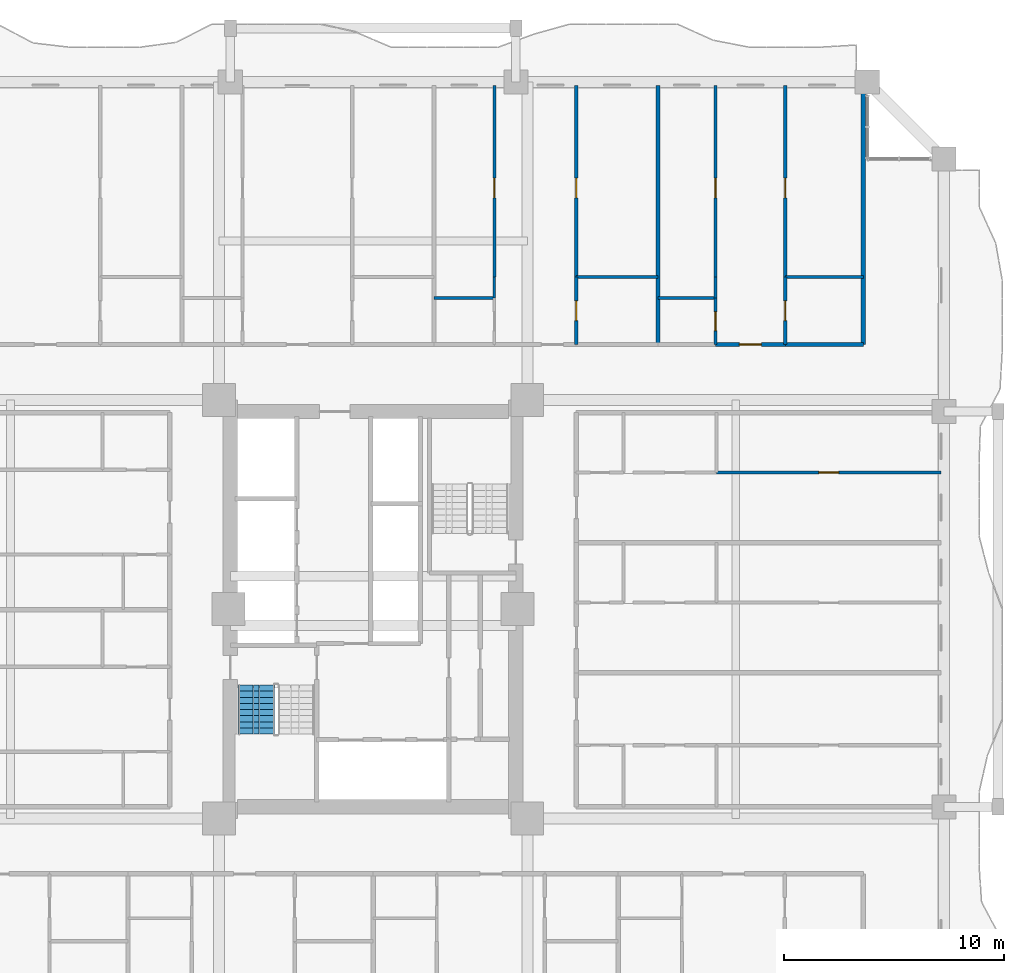
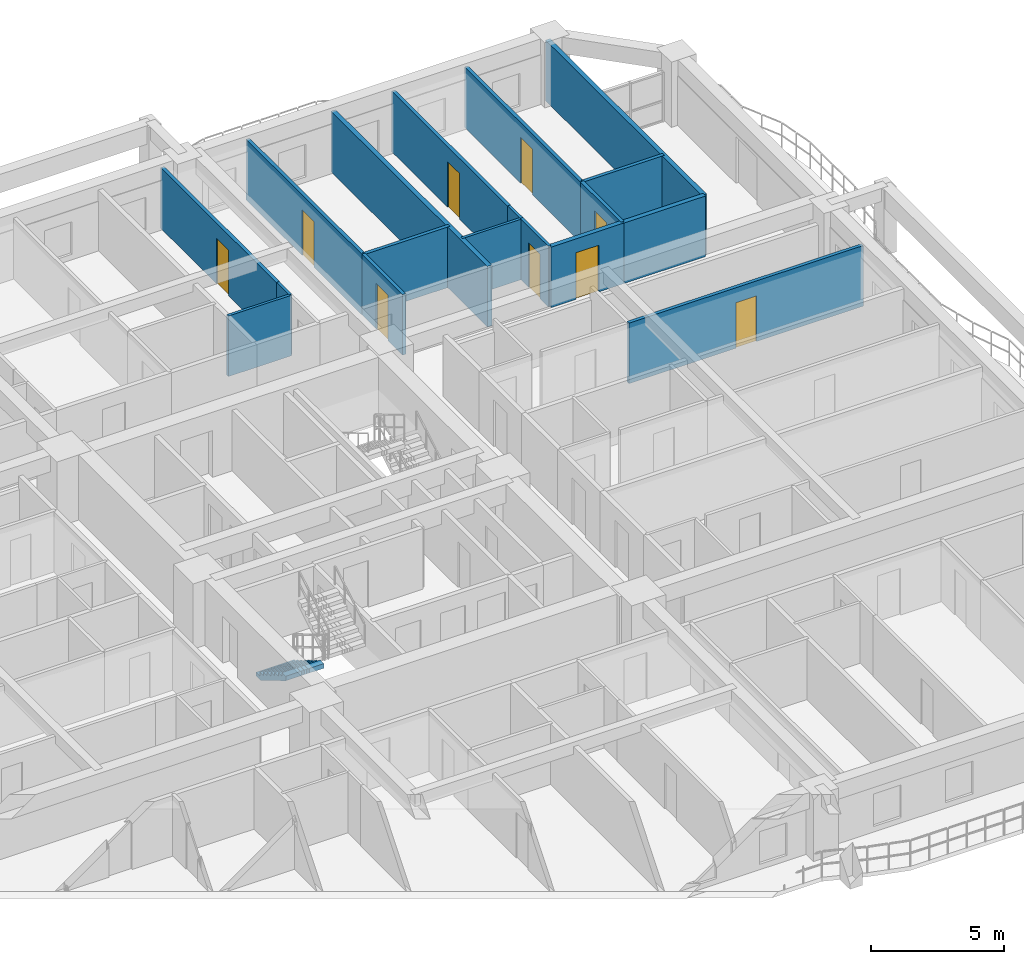
# One storey, part 20 of 27: 18 walls, 9 doors, 1 stair flight, 9 openings, 1 element without a shape of its own.
"""IFC4 building model written with IfcOpenShell, lengths in metres."""

from ifc_helpers import new_model, si_unit, direction, frame, frame_2d, origin, place, context, subcontext, project, spatial, polyline, rectangle, outline, extrude, source, transform, mapped, material, layer, layer_set, type_object, element, fill, aggregate, save


model = new_model("IFC4")

# Units and contexts
model_context = context("Model", 3, precision=1e-05, world=origin(), true_north=direction((0.0, 1.0)))
body_context = subcontext(model_context, "Body", "Model", "MODEL_VIEW")
ifc_project = project(units=[si_unit("LENGTHUNIT", "METRE"), si_unit("AREAUNIT", "SQUARE_METRE"), si_unit("VOLUMEUNIT", "CUBIC_METRE"), si_unit("PLANEANGLEUNIT", "RADIAN"), si_unit("MASSUNIT", "GRAM", prefix="KILO")], contexts=[model_context])

# Site, building, storey
site_placement = place(None, origin())
site = spatial("IfcSite", under=ifc_project, at=site_placement, CompositionType="ELEMENT")
building_placement = place(site_placement, origin())
building = spatial("IfcBuilding", under=site, at=building_placement, Name="Saelheon Loggia Tower", CompositionType="ELEMENT")
storey_placement = place(building_placement, frame((0.0, 0.0, 43.39990234375)))
storey = spatial("IfcBuildingStorey", under=building, at=storey_placement, Name="L13", CompositionType="ELEMENT", Elevation=43.39990234375)

# Wall
ifc_material_1 = material(Name="Lightweight Autoclaved Aerated Concrete Block and Acoustic Gypsum", Category="concrete")
ifc_layer_1 = layer(ifc_material_1, 0.14990234375)
ifc_layer_set_1 = layer_set([ifc_layer_1], Name="Lightweight Autoclaved Aerated Concrete Block and Acoustic Gypsum")
wall_type_1 = type_object("IfcWallType", Name="Wall_Part_150", PredefinedType="PARTITIONING", material=ifc_layer_set_1)
wall_1_placement = place(storey_placement, frame((47.24951171875, 42.1201171875, 0.0), z_axis=(0.0, 0.0, 1.0), x_axis=(1.0, 0.0, 0.0)))
element("IfcWall", 1, at=wall_1_placement, inside=storey, type_object=wall_type_1, Name="L13 N Partition V31", PredefinedType="PARTITIONING", context=body_context, shape_type="SweptSolid", body=[
    extrude(rectangle(XDim=3.72265625, YDim=0.14990234375, at=frame_2d((1.861328125, 0.0))), origin(), (0.0, 0.0, 1.0), 2.7900390625),
])

# Wall, opening, door
wall_2_placement = place(storey_placement, frame((43.524658203125, 42.1201171875, 0.0), z_axis=(0.0, 0.0, 1.0), x_axis=(0.0, 1.0, 0.0)))
wall_2 = element("IfcWall", 2, at=wall_2_placement, inside=storey, type_object=wall_type_1, Name="L13 N Partition U34", PredefinedType="PARTITIONING", context=body_context, shape_type="SweptSolid", body=[
    extrude(rectangle(XDim=8.72998046875, YDim=0.14990234375, at=frame_2d((4.364990234375, 0.0))), origin(), (0.0, 0.0, 1.0), 2.7900390625),
])
opening_1_placement = place(wall_2_placement, frame((3.60888671875, 0.0, 0.0)))
opening_1 = element("IfcOpeningElement", 3, at=opening_1_placement, cuts=wall_2, Name="Opening D-IN2", PredefinedType="OPENING", context=body_context, shape_type="SweptSolid", body=[
    extrude(rectangle(XDim=0.89990234375, YDim=2.10009765625, at=frame_2d((0.449951171875, 1.050048828125))), frame((0.0, 0.0869140625, 0.0), z_axis=(0.0, -1.0, 0.0), x_axis=(1.0, 0.0, 0.0)), (0.0, 0.0, 1.0), 0.173828125),
])
ifc_material_2 = material(Name="Engineered Oak Flush Door", Category="timber")
door_type_1 = type_object("IfcDoorType", Name="Door_Int_900", OperationType="NOTDEFINED", PredefinedType="DOOR", material=ifc_material_2)
shared_shape_1 = source(origin(), body_context, "Body", "SweptSolid", [
    extrude(rectangle(XDim=0.89990234375, YDim=2.10009765625, at=frame_2d((0.449951171875, 1.050048828125))), frame((0.0, 0.02490234375, 0.0), z_axis=(0.0, -1.0, 0.0), x_axis=(1.0, 0.0, 0.0)), (0.0, 0.0, 1.0), 0.050048828125),
])
door_1_placement = place(opening_1_placement, origin())
door_1 = element("IfcDoor", 4, at=door_1_placement, inside=storey, type_object=door_type_1, Name="Unit U07 Kitchen Door", OperationType="SINGLE_SWING_RIGHT", OverallHeight=2.10009765625, OverallWidth=0.89990234375, PredefinedType="DOOR", context=body_context, shape_type="MappedRepresentation", body=[
    mapped(shared_shape_1, transform((0.0, 0.0, 0.0), scale=1.0)),
])
fill(opening_1, door_1)

wall_3_placement = place(storey_placement, frame((47.24951171875, 39.050048828125, 0.0), z_axis=(0.0, 0.0, 1.0), x_axis=(0.0, 1.0, 0.0)))
wall_3 = element("IfcWall", 5, at=wall_3_placement, inside=storey, type_object=wall_type_1, Name="L13 N Partition U35", PredefinedType="PARTITIONING", context=body_context, shape_type="SweptSolid", body=[
    extrude(rectangle(XDim=3.070068359375, YDim=0.14990234375, at=frame_2d((1.53515625, 0.0))), origin(), (0.0, 0.0, 1.0), 2.7900390625),
])
opening_2_placement = place(wall_3_placement, frame((1.0849609375, 0.0, 0.0)))
opening_2 = element("IfcOpeningElement", 6, at=opening_2_placement, cuts=wall_3, Name="Opening D-IN2", PredefinedType="OPENING", context=body_context, shape_type="SweptSolid", body=[
    extrude(rectangle(XDim=0.89990234375, YDim=2.10009765625, at=frame_2d((0.449951171875, 1.050048828125))), frame((0.0, 0.0869140625, 0.0), z_axis=(0.0, -1.0, 0.0), x_axis=(1.0, 0.0, 0.0)), (0.0, 0.0, 1.0), 0.173828125),
])
door_2_placement = place(opening_2_placement, origin())
door_2 = element("IfcDoor", 7, at=door_2_placement, inside=storey, type_object=door_type_1, Name="Unit U07 Dressing Closet Door", OperationType="SINGLE_SWING_LEFT", OverallHeight=2.10009765625, OverallWidth=0.89990234375, PredefinedType="DOOR", context=body_context, shape_type="MappedRepresentation", body=[
    mapped(shared_shape_1, transform((0.0, 0.0, 0.0), scale=1.0)),
])
fill(opening_2, door_2)

wall_4_placement = place(storey_placement, frame((47.24951171875, 42.1201171875, 0.0), z_axis=(0.0, 0.0, 1.0), x_axis=(0.0, 1.0, 0.0)))
wall_4 = element("IfcWall", 8, at=wall_4_placement, inside=storey, type_object=wall_type_1, Name="L13 N Partition U36", PredefinedType="PARTITIONING", context=body_context, shape_type="SweptSolid", body=[
    extrude(rectangle(XDim=8.72998046875, YDim=0.14990234375, at=frame_2d((4.364990234375, 0.0))), origin(), (0.0, 0.0, 1.0), 2.7900390625),
])
opening_3_placement = place(wall_4_placement, frame((3.60888671875, 0.0, 0.0)))
opening_3 = element("IfcOpeningElement", 9, at=opening_3_placement, cuts=wall_4, Name="Opening D-IN2", PredefinedType="OPENING", context=body_context, shape_type="SweptSolid", body=[
    extrude(rectangle(XDim=0.89990234375, YDim=2.10009765625, at=frame_2d((0.449951171875, 1.050048828125))), frame((0.0, 0.0869140625, 0.0), z_axis=(0.0, -1.0, 0.0), x_axis=(1.0, 0.0, 0.0)), (0.0, 0.0, 1.0), 0.173828125),
])
door_3_placement = place(opening_3_placement, origin())
door_3 = element("IfcDoor", 10, at=door_3_placement, inside=storey, type_object=door_type_1, Name="Unit U07 Bedroom 1 Door", OperationType="SINGLE_SWING_RIGHT", OverallHeight=2.10009765625, OverallWidth=0.89990234375, PredefinedType="DOOR", context=body_context, shape_type="MappedRepresentation", body=[
    mapped(shared_shape_1, transform((0.0, 0.0, 0.0), scale=1.0)),
])
fill(opening_3, door_3)

# Wall
wall_5_placement = place(storey_placement, frame((56.767822265625, 42.1201171875, 0.0), z_axis=(0.0, 0.0, 1.0), x_axis=(1.0, 0.0, 0.0)))
element("IfcWall", 11, at=wall_5_placement, inside=storey, type_object=wall_type_1, Name="L13 N Partition V42", PredefinedType="PARTITIONING", context=body_context, shape_type="SweptSolid", body=[
    extrude(rectangle(XDim=3.55224609375, YDim=0.14990234375, at=frame_2d((1.776123046875, 0.0))), origin(), (0.0, 0.0, 1.0), 2.7900390625),
])

# Wall, opening, door
wall_6_placement = place(storey_placement, frame((53.589599609375, 42.1201171875, 0.0), z_axis=(0.0, 0.0, 1.0), x_axis=(0.0, 1.0, 0.0)))
wall_6 = element("IfcWall", 12, at=wall_6_placement, inside=storey, type_object=wall_type_1, Name="L13 N Partition U45", PredefinedType="PARTITIONING", context=body_context, shape_type="SweptSolid", body=[
    extrude(rectangle(XDim=8.72998046875, YDim=0.14990234375, at=frame_2d((4.364990234375, 0.0))), origin(), (0.0, 0.0, 1.0), 2.7900390625),
])
opening_4_placement = place(wall_6_placement, frame((3.60888671875, 0.0, 0.0)))
opening_4 = element("IfcOpeningElement", 13, at=opening_4_placement, cuts=wall_6, Name="Opening D-IN2", PredefinedType="OPENING", context=body_context, shape_type="SweptSolid", body=[
    extrude(rectangle(XDim=0.89990234375, YDim=2.10009765625, at=frame_2d((0.449951171875, 1.050048828125))), frame((0.0, 0.0869140625, 0.0), z_axis=(0.0, -1.0, 0.0), x_axis=(1.0, 0.0, 0.0)), (0.0, 0.0, 1.0), 0.173828125),
])
door_4_placement = place(opening_4_placement, origin())
door_4 = element("IfcDoor", 14, at=door_4_placement, inside=storey, type_object=door_type_1, Name="Unit U08 Kitchen Door", OperationType="SINGLE_SWING_LEFT", OverallHeight=2.10009765625, OverallWidth=0.89990234375, PredefinedType="DOOR", context=body_context, shape_type="MappedRepresentation", body=[
    mapped(shared_shape_1, transform((0.0, 0.0, 0.0), scale=1.0)),
])
fill(opening_4, door_4)

wall_7_placement = place(storey_placement, frame((56.767822265625, 39.050048828125, 0.0), z_axis=(0.0, 0.0, 1.0), x_axis=(0.0, 1.0, 0.0)))
wall_7 = element("IfcWall", 15, at=wall_7_placement, inside=storey, type_object=wall_type_1, Name="L13 N Partition U46", PredefinedType="PARTITIONING", context=body_context, shape_type="SweptSolid", body=[
    extrude(rectangle(XDim=3.070068359375, YDim=0.14990234375, at=frame_2d((1.53515625, 0.0))), origin(), (0.0, 0.0, 1.0), 2.7900390625),
])
opening_5_placement = place(wall_7_placement, frame((1.0849609375, 0.0, 0.0)))
opening_5 = element("IfcOpeningElement", 16, at=opening_5_placement, cuts=wall_7, Name="Opening D-IN2", PredefinedType="OPENING", context=body_context, shape_type="SweptSolid", body=[
    extrude(rectangle(XDim=0.89990234375, YDim=2.10009765625, at=frame_2d((0.449951171875, 1.050048828125))), frame((0.0, 0.0869140625, 0.0), z_axis=(0.0, -1.0, 0.0), x_axis=(1.0, 0.0, 0.0)), (0.0, 0.0, 1.0), 0.173828125),
])
door_5_placement = place(opening_5_placement, origin())
door_5 = element("IfcDoor", 17, at=door_5_placement, inside=storey, type_object=door_type_1, Name="Unit U08 Dressing Closet Door", OperationType="SINGLE_SWING_RIGHT", OverallHeight=2.10009765625, OverallWidth=0.89990234375, PredefinedType="DOOR", context=body_context, shape_type="MappedRepresentation", body=[
    mapped(shared_shape_1, transform((0.0, 0.0, 0.0), scale=1.0)),
])
fill(opening_5, door_5)

wall_8_placement = place(storey_placement, frame((56.767822265625, 42.1201171875, 0.0), z_axis=(0.0, 0.0, 1.0), x_axis=(0.0, 1.0, 0.0)))
wall_8 = element("IfcWall", 18, at=wall_8_placement, inside=storey, type_object=wall_type_1, Name="L13 N Partition U47", PredefinedType="PARTITIONING", context=body_context, shape_type="SweptSolid", body=[
    extrude(rectangle(XDim=8.72998046875, YDim=0.14990234375, at=frame_2d((4.364990234375, 0.0))), origin(), (0.0, 0.0, 1.0), 2.7900390625),
])
opening_6_placement = place(wall_8_placement, frame((3.60888671875, 0.0, 0.0)))
opening_6 = element("IfcOpeningElement", 19, at=opening_6_placement, cuts=wall_8, Name="Opening D-IN2", PredefinedType="OPENING", context=body_context, shape_type="SweptSolid", body=[
    extrude(rectangle(XDim=0.89990234375, YDim=2.10009765625, at=frame_2d((0.449951171875, 1.050048828125))), frame((0.0, 0.0869140625, 0.0), z_axis=(0.0, -1.0, 0.0), x_axis=(1.0, 0.0, 0.0)), (0.0, 0.0, 1.0), 0.173828125),
])
door_6_placement = place(opening_6_placement, origin())
door_6 = element("IfcDoor", 20, at=door_6_placement, inside=storey, type_object=door_type_1, Name="Unit U08 Bedroom 1 Door", OperationType="SINGLE_SWING_LEFT", OverallHeight=2.10009765625, OverallWidth=0.89990234375, PredefinedType="DOOR", context=body_context, shape_type="MappedRepresentation", body=[
    mapped(shared_shape_1, transform((0.0, 0.0, 0.0), scale=1.0)),
])
fill(opening_6, door_6)

wall_9_placement = place(storey_placement, frame((53.639892578125, 33.22509765625, 0.0), z_axis=(0.0, 0.0, 1.0), x_axis=(1.0, 0.0, 0.0)))
wall_9 = element("IfcWall", 21, at=wall_9_placement, inside=storey, type_object=wall_type_1, Name="L13 E Partition U25", PredefinedType="PARTITIONING", context=body_context, shape_type="SweptSolid", body=[
    extrude(rectangle(XDim=10.210205078125, YDim=0.14990234375, at=frame_2d((5.10498046875, 0.0))), origin(), (0.0, 0.0, 1.0), 2.7900390625),
])
opening_7_placement = place(wall_9_placement, frame((4.655029296875, 0.0, 0.0)))
opening_7 = element("IfcOpeningElement", 22, at=opening_7_placement, cuts=wall_9, Name="Opening D-IN2", PredefinedType="OPENING", context=body_context, shape_type="SweptSolid", body=[
    extrude(rectangle(XDim=0.89990234375, YDim=2.10009765625, at=frame_2d((0.449951171875, 1.050048828125))), frame((0.0, 0.0869140625, 0.0), z_axis=(0.0, -1.0, 0.0), x_axis=(1.0, 0.0, 0.0)), (0.0, 0.0, 1.0), 0.173828125),
])
door_7_placement = place(opening_7_placement, origin())
door_7 = element("IfcDoor", 23, at=door_7_placement, inside=storey, type_object=door_type_1, Name="Unit U13 Bedroom 1 Door", OperationType="SINGLE_SWING_LEFT", OverallHeight=2.10009765625, OverallWidth=0.89990234375, PredefinedType="DOOR", context=body_context, shape_type="MappedRepresentation", body=[
    mapped(shared_shape_1, transform((0.0, 0.0, 0.0), scale=1.0)),
])
fill(opening_7, door_7)

# Walls
ifc_material_3 = material(Name="Double Acoustic Stud and Fireboard Partition", Category="gypsum")
ifc_layer_2 = layer(ifc_material_3, 0.199951171875)
ifc_layer_set_2 = layer_set([ifc_layer_2], Name="Double Acoustic Stud and Fireboard Partition")
wall_type_2 = type_object("IfcWallType", Name="Wall_Party_200", PredefinedType="PARTITIONING", material=ifc_layer_set_2)
for number, where, z_axis, x_axis, name in (
    (24, (60.320068359375, 39.050048828125, 0.0), (0.0, 0.0, 1.0), (0.0, 1.0, 0.0), "L13 N Partition U02"),
    (25, (50.97216796875, 39.050048828125, 0.0), (0.0, 0.0, 1.0), (0.0, 1.0, 0.0), "L13 N Partition U37"),
):
    element("IfcWall", number, at=place(storey_placement, frame(where, z_axis=z_axis, x_axis=x_axis)), inside=storey, type_object=wall_type_2, Name=name, PredefinedType="PARTITIONING", context=body_context, shape_type="SweptSolid", body=[
        extrude(rectangle(XDim=11.800048828125, YDim=0.199951171875, at=frame_2d((5.89990234375, 0.0))), origin(), (0.0, 0.0, 1.0), 2.7900390625),
    ])

# Wall, opening, door
wall_10_placement = place(storey_placement, frame((53.589599609375, 39.050048828125, 0.0), z_axis=(0.0, 0.0, 1.0), x_axis=(1.0, 0.0, 0.0)))
wall_10 = element("IfcWall", 26, at=wall_10_placement, inside=storey, type_object=wall_type_2, Name="L13 N Partition V39", PredefinedType="PARTITIONING", context=body_context, shape_type="SweptSolid", body=[
    extrude(rectangle(XDim=3.17822265625, YDim=0.199951171875, at=frame_2d((1.589111328125, 0.0))), origin(), (0.0, 0.0, 1.0), 2.7900390625),
])
opening_8_placement = place(wall_10_placement, frame((1.089111328125, 0.0, 0.0)))
opening_8 = element("IfcOpeningElement", 27, at=opening_8_placement, cuts=wall_10, Name="Opening D-FD1", PredefinedType="OPENING", context=body_context, shape_type="SweptSolid", body=[
    extrude(rectangle(XDim=1.0, YDim=2.14990234375, at=frame_2d((0.5, 1.074951171875))), frame((0.0, 0.112060546875, 0.0), z_axis=(0.0, -1.0, 0.0), x_axis=(1.0, 0.0, 0.0)), (0.0, 0.0, 1.0), 0.223876953125),
])
ifc_material_4 = material(Name="Fire-Rated Engineered Timber Entrance Door", Category="wood")
door_type_2 = type_object("IfcDoorType", Name="Door_Flat_FD30S", OperationType="NOTDEFINED", PredefinedType="DOOR", material=ifc_material_4)
shared_shape_2 = source(origin(), body_context, "Body", "SweptSolid", [
    extrude(rectangle(XDim=1.0, YDim=2.14990234375, at=frame_2d((0.5, 1.074951171875))), frame((0.0, 0.02490234375, 0.0), z_axis=(0.0, -1.0, 0.0), x_axis=(1.0, 0.0, 0.0)), (0.0, 0.0, 1.0), 0.050048828125),
])
door_8_placement = place(opening_8_placement, origin())
door_8 = element("IfcDoor", 28, at=door_8_placement, inside=storey, type_object=door_type_2, Name="Unit U08 Entrance Door", OperationType="SINGLE_SWING_LEFT", OverallHeight=2.14990234375, OverallWidth=1.0, PredefinedType="DOOR", context=body_context, shape_type="MappedRepresentation", body=[
    mapped(shared_shape_2, transform((0.0, 0.0, 0.0), scale=1.0)),
])
fill(opening_8, door_8)

# Walls
wall_11_placement = place(storey_placement, frame((56.767822265625, 39.050048828125, 0.0), z_axis=(0.0, 0.0, 1.0), x_axis=(1.0, 0.0, 0.0)))
element("IfcWall", 29, at=wall_11_placement, inside=storey, type_object=wall_type_2, Name="L13 N Partition V40", PredefinedType="PARTITIONING", context=body_context, shape_type="SweptSolid", body=[
    extrude(rectangle(XDim=3.55224609375, YDim=0.199951171875, at=frame_2d((1.776123046875, 0.0))), origin(), (0.0, 0.0, 1.0), 2.7900390625),
])
ifc_material_5 = material(Name="Moisture-Resistant Cement Board Partition", Category="gypsum")
ifc_layer_3 = layer(ifc_material_5, 0.1201171875)
ifc_layer_set_3 = layer_set([ifc_layer_3], Name="Moisture-Resistant Cement Board Partition")
wall_type_3 = type_object("IfcWallType", Name="Wall_WetPart_120", PredefinedType="PARTITIONING", material=ifc_layer_set_3)
wall_12_placement = place(storey_placement, frame((40.774658203125, 41.169921875, 0.0), z_axis=(0.0, 0.0, 1.0), x_axis=(1.0, 0.0, 0.0)))
element("IfcWall", 30, at=wall_12_placement, inside=storey, type_object=wall_type_3, Name="L13 N Partition V30", PredefinedType="PARTITIONING", context=body_context, shape_type="SweptSolid", body=[
    extrude(rectangle(XDim=2.75, YDim=0.1201171875, at=frame_2d((1.375, 0.0))), origin(), (0.0, 0.0, 1.0), 2.7900390625),
])
wall_13_placement = place(storey_placement, frame((43.524658203125, 41.169921875, 0.0), z_axis=(0.0, 0.0, 1.0), x_axis=(0.0, 1.0, 0.0)))
element("IfcWall", 31, at=wall_13_placement, inside=storey, type_object=wall_type_3, Name="L13 N Partition U33", PredefinedType="PARTITIONING", context=body_context, shape_type="SweptSolid", body=[
    extrude(rectangle(XDim=0.9501953125, YDim=0.1201171875, at=frame_2d((0.47509765625, 0.0))), origin(), (0.0, 0.0, 1.0), 2.7900390625),
])
wall_14_placement = place(storey_placement, frame((50.97216796875, 41.169921875, 0.0), z_axis=(0.0, 0.0, 1.0), x_axis=(1.0, 0.0, 0.0)))
element("IfcWall", 32, at=wall_14_placement, inside=storey, type_object=wall_type_3, Name="L13 N Partition V41", PredefinedType="PARTITIONING", context=body_context, shape_type="SweptSolid", body=[
    extrude(rectangle(XDim=2.617431640625, YDim=0.1201171875, at=frame_2d((1.30859375, 0.0))), origin(), (0.0, 0.0, 1.0), 2.7900390625),
])

# Wall, opening, door
wall_15_placement = place(storey_placement, frame((53.589599609375, 39.050048828125, 0.0), z_axis=(0.0, 0.0, 1.0), x_axis=(0.0, 1.0, 0.0)))
wall_15 = element("IfcWall", 33, at=wall_15_placement, inside=storey, type_object=wall_type_3, Name="L13 N Partition U43", PredefinedType="PARTITIONING", context=body_context, shape_type="SweptSolid", body=[
    extrude(rectangle(XDim=2.119873046875, YDim=0.1201171875, at=frame_2d((1.06005859375, 0.0))), origin(), (0.0, 0.0, 1.0), 2.7900390625),
])
opening_9_placement = place(wall_15_placement, frame((0.635009765625, 0.0, 0.0)))
opening_9 = element("IfcOpeningElement", 34, at=opening_9_placement, cuts=wall_15, Name="Opening D-BT1", PredefinedType="OPENING", context=body_context, shape_type="SweptSolid", body=[
    extrude(rectangle(XDim=0.85009765625, YDim=2.050048828125, at=frame_2d((0.425048828125, 1.02490234375))), frame((0.0, 0.072021484375, 0.0), z_axis=(0.0, -1.0, 0.0), x_axis=(1.0, 0.0, 0.0)), (0.0, 0.0, 1.0), 0.14404296875),
])
ifc_material_6 = material(Name="Moisture-Resistant Laminate Timber Door", Category="wood")
door_type_3 = type_object("IfcDoorType", Name="Door_Bath_850", OperationType="NOTDEFINED", PredefinedType="DOOR", material=ifc_material_6)
shared_shape_3 = source(origin(), body_context, "Body", "SweptSolid", [
    extrude(rectangle(XDim=0.85009765625, YDim=2.050048828125, at=frame_2d((0.425048828125, 1.02490234375))), frame((0.0, 0.02490234375, 0.0), z_axis=(0.0, -1.0, 0.0), x_axis=(1.0, 0.0, 0.0)), (0.0, 0.0, 1.0), 0.050048828125),
])
door_9_placement = place(opening_9_placement, origin())
door_9 = element("IfcDoor", 35, at=door_9_placement, inside=storey, type_object=door_type_3, Name="Unit U08 Bathroom Door", OperationType="SINGLE_SWING_RIGHT", OverallHeight=2.050048828125, OverallWidth=0.85009765625, PredefinedType="DOOR", context=body_context, shape_type="MappedRepresentation", body=[
    mapped(shared_shape_3, transform((0.0, 0.0, 0.0), scale=1.0)),
])
fill(opening_9, door_9)

# Wall
wall_16_placement = place(storey_placement, frame((53.589599609375, 41.169921875, 0.0), z_axis=(0.0, 0.0, 1.0), x_axis=(0.0, 1.0, 0.0)))
element("IfcWall", 36, at=wall_16_placement, inside=storey, type_object=wall_type_3, Name="L13 N Partition U44", PredefinedType="PARTITIONING", context=body_context, shape_type="SweptSolid", body=[
    extrude(rectangle(XDim=0.9501953125, YDim=0.1201171875, at=frame_2d((0.47509765625, 0.0))), origin(), (0.0, 0.0, 1.0), 2.7900390625),
])

# Stair, stair flight
ifc_material_7 = material(Name="Concrete C40/50", Category="concrete")
stair_type = type_object("IfcStairType", Name="Stair_Escape_Core", PredefinedType="HALF_TURN_STAIR", material=ifc_material_7)
stair_placement = place(storey_placement, origin())
stair = element("IfcStair", 37, at=stair_placement, inside=storey, type_object=stair_type, Name="L13 Special Escape Stair ST1", PredefinedType="HALF_TURN_STAIR")
stair_flight_type = type_object("IfcStairFlightType", Name="StairFlight_Tower_1660", PredefinedType="STRAIGHT", material=ifc_material_7)
stair_flight_placement = place(storey_placement, frame((32.679931640625, 23.550048828125, 0.0), z_axis=(0.0, 0.0, 1.0), x_axis=(0.0, -1.0, 0.0)))
stair_flight = element("IfcStairFlight", 38, at=stair_flight_placement, type_object=stair_flight_type, Name="ST1 flight 1", NumberOfRisers=9, NumberOfTreads=8, PredefinedType="STRAIGHT", RiserHeight=0.166666667, TreadLength=0.28, context=body_context, shape_type="SweptSolid", body=[
    extrude(outline(polyline([(0.0, 0.0), (0.0, 0.166748046875), (0.280029296875, 0.166748046875), (0.280029296875, 0.333251953125), (0.56005859375, 0.333251953125), (0.56005859375, 0.5), (0.840087890625, 0.5), (0.840087890625, 0.666748046875), (1.1201171875, 0.666748046875), (1.1201171875, 0.833251953125), (1.39990234375, 0.833251953125), (1.39990234375, 1.0), (1.679931640625, 1.0), (1.679931640625, 1.166748046875), (1.9599609375, 1.166748046875), (1.9599609375, 1.333251953125), (2.239990234375, 1.333251953125), (2.239990234375, 1.5), (2.239990234375, 1.1240234375), (0.351806640625, 0.0), (0.0, 0.0)])), frame((0.0, -0.2490234375, 0.0), z_axis=(0.0, -1.0, 0.0), x_axis=(1.0, 0.0, 0.0)), (0.0, 0.0, 1.0), 0.5810546875),
    extrude(outline(polyline([(0.0, 0.0), (0.0, 0.166748046875), (0.280029296875, 0.166748046875), (0.280029296875, 0.333251953125), (0.56005859375, 0.333251953125), (0.56005859375, 0.5), (0.840087890625, 0.5), (0.840087890625, 0.666748046875), (1.1201171875, 0.666748046875), (1.1201171875, 0.833251953125), (1.39990234375, 0.833251953125), (1.39990234375, 1.0), (1.679931640625, 1.0), (1.679931640625, 1.166748046875), (1.9599609375, 1.166748046875), (1.9599609375, 1.333251953125), (2.239990234375, 1.333251953125), (2.239990234375, 1.5), (2.239990234375, 1.1240234375), (0.351806640625, 0.0), (0.0, 0.0)])), frame((0.0, -0.194091796875, 0.0), z_axis=(0.0, -1.0, 0.0), x_axis=(1.0, 0.0, 0.0)), (0.0, 0.0, 1.0), 0.0498046875),
    extrude(outline(polyline([(0.0, 0.0), (0.0, 0.166748046875), (0.280029296875, 0.166748046875), (0.280029296875, 0.333251953125), (0.56005859375, 0.333251953125), (0.56005859375, 0.5), (0.840087890625, 0.5), (0.840087890625, 0.666748046875), (1.1201171875, 0.666748046875), (1.1201171875, 0.833251953125), (1.39990234375, 0.833251953125), (1.39990234375, 1.0), (1.679931640625, 1.0), (1.679931640625, 1.166748046875), (1.9599609375, 1.166748046875), (1.9599609375, 1.333251953125), (2.239990234375, 1.333251953125), (2.239990234375, 1.5), (2.239990234375, 1.1240234375), (0.351806640625, 0.0), (0.0, 0.0)])), frame((0.0, -0.139404296875, 0.0), z_axis=(0.0, -1.0, 0.0), x_axis=(1.0, 0.0, 0.0)), (0.0, 0.0, 1.0), 0.0498046875),
    extrude(outline(polyline([(0.0, 0.0), (0.0, 0.166748046875), (0.280029296875, 0.166748046875), (0.280029296875, 0.333251953125), (0.56005859375, 0.333251953125), (0.56005859375, 0.5), (0.840087890625, 0.5), (0.840087890625, 0.666748046875), (1.1201171875, 0.666748046875), (1.1201171875, 0.833251953125), (1.39990234375, 0.833251953125), (1.39990234375, 1.0), (1.679931640625, 1.0), (1.679931640625, 1.166748046875), (1.9599609375, 1.166748046875), (1.9599609375, 1.333251953125), (2.239990234375, 1.333251953125), (2.239990234375, 1.5), (2.239990234375, 1.1240234375), (0.351806640625, 0.0), (0.0, 0.0)])), frame((0.0, -0.084716796875, 0.0), z_axis=(0.0, -1.0, 0.0), x_axis=(1.0, 0.0, 0.0)), (0.0, 0.0, 1.0), 0.0498046875),
    extrude(outline(polyline([(0.0, 0.0), (0.0, 0.166748046875), (0.280029296875, 0.166748046875), (0.280029296875, 0.333251953125), (0.56005859375, 0.333251953125), (0.56005859375, 0.5), (0.840087890625, 0.5), (0.840087890625, 0.666748046875), (1.1201171875, 0.666748046875), (1.1201171875, 0.833251953125), (1.39990234375, 0.833251953125), (1.39990234375, 1.0), (1.679931640625, 1.0), (1.679931640625, 1.166748046875), (1.9599609375, 1.166748046875), (1.9599609375, 1.333251953125), (2.239990234375, 1.333251953125), (2.239990234375, 1.5), (2.239990234375, 1.1240234375), (0.351806640625, 0.0), (0.0, 0.0)])), frame((0.0, -0.02978515625, 0.0), z_axis=(0.0, -1.0, 0.0), x_axis=(1.0, 0.0, 0.0)), (0.0, 0.0, 1.0), 0.0498046875),
    extrude(outline(polyline([(0.0, 0.0), (0.0, 0.166748046875), (0.280029296875, 0.166748046875), (0.280029296875, 0.333251953125), (0.56005859375, 0.333251953125), (0.56005859375, 0.5), (0.840087890625, 0.5), (0.840087890625, 0.666748046875), (1.1201171875, 0.666748046875), (1.1201171875, 0.833251953125), (1.39990234375, 0.833251953125), (1.39990234375, 1.0), (1.679931640625, 1.0), (1.679931640625, 1.166748046875), (1.9599609375, 1.166748046875), (1.9599609375, 1.333251953125), (2.239990234375, 1.333251953125), (2.239990234375, 1.5), (2.239990234375, 1.1240234375), (0.351806640625, 0.0), (0.0, 0.0)])), frame((0.0, 0.02490234375, 0.0), z_axis=(0.0, -1.0, 0.0), x_axis=(1.0, 0.0, 0.0)), (0.0, 0.0, 1.0), 0.0498046875),
    extrude(outline(polyline([(0.0, 0.0), (0.0, 0.166748046875), (0.280029296875, 0.166748046875), (0.280029296875, 0.333251953125), (0.56005859375, 0.333251953125), (0.56005859375, 0.5), (0.840087890625, 0.5), (0.840087890625, 0.666748046875), (1.1201171875, 0.666748046875), (1.1201171875, 0.833251953125), (1.39990234375, 0.833251953125), (1.39990234375, 1.0), (1.679931640625, 1.0), (1.679931640625, 1.166748046875), (1.9599609375, 1.166748046875), (1.9599609375, 1.333251953125), (2.239990234375, 1.333251953125), (2.239990234375, 1.5), (2.239990234375, 1.1240234375), (0.351806640625, 0.0), (0.0, 0.0)])), frame((0.0, 0.07958984375, 0.0), z_axis=(0.0, -1.0, 0.0), x_axis=(1.0, 0.0, 0.0)), (0.0, 0.0, 1.0), 0.0498046875),
    extrude(outline(polyline([(0.0, 0.0), (0.0, 0.166748046875), (0.280029296875, 0.166748046875), (0.280029296875, 0.333251953125), (0.56005859375, 0.333251953125), (0.56005859375, 0.5), (0.840087890625, 0.5), (0.840087890625, 0.666748046875), (1.1201171875, 0.666748046875), (1.1201171875, 0.833251953125), (1.39990234375, 0.833251953125), (1.39990234375, 1.0), (1.679931640625, 1.0), (1.679931640625, 1.166748046875), (1.9599609375, 1.166748046875), (1.9599609375, 1.333251953125), (2.239990234375, 1.333251953125), (2.239990234375, 1.5), (2.239990234375, 1.1240234375), (0.351806640625, 0.0), (0.0, 0.0)])), frame((0.0, 0.134521484375, 0.0), z_axis=(0.0, -1.0, 0.0), x_axis=(1.0, 0.0, 0.0)), (0.0, 0.0, 1.0), 0.0498046875),
    extrude(outline(polyline([(0.0, 0.0), (0.0, 0.166748046875), (0.280029296875, 0.166748046875), (0.280029296875, 0.333251953125), (0.56005859375, 0.333251953125), (0.56005859375, 0.5), (0.840087890625, 0.5), (0.840087890625, 0.666748046875), (1.1201171875, 0.666748046875), (1.1201171875, 0.833251953125), (1.39990234375, 0.833251953125), (1.39990234375, 1.0), (1.679931640625, 1.0), (1.679931640625, 1.166748046875), (1.9599609375, 1.166748046875), (1.9599609375, 1.333251953125), (2.239990234375, 1.333251953125), (2.239990234375, 1.5), (2.239990234375, 1.1240234375), (0.351806640625, 0.0), (0.0, 0.0)])), frame((0.0, 0.189208984375, 0.0), z_axis=(0.0, -1.0, 0.0), x_axis=(1.0, 0.0, 0.0)), (0.0, 0.0, 1.0), 0.0498046875),
    extrude(outline(polyline([(0.0, 0.0), (0.0, 0.166748046875), (0.280029296875, 0.166748046875), (0.280029296875, 0.333251953125), (0.56005859375, 0.333251953125), (0.56005859375, 0.5), (0.840087890625, 0.5), (0.840087890625, 0.666748046875), (1.1201171875, 0.666748046875), (1.1201171875, 0.833251953125), (1.39990234375, 0.833251953125), (1.39990234375, 1.0), (1.679931640625, 1.0), (1.679931640625, 1.166748046875), (1.9599609375, 1.166748046875), (1.9599609375, 1.333251953125), (2.239990234375, 1.333251953125), (2.239990234375, 1.5), (2.239990234375, 1.1240234375), (0.351806640625, 0.0), (0.0, 0.0)])), frame((0.0, 0.243896484375, 0.0), z_axis=(0.0, -1.0, 0.0), x_axis=(1.0, 0.0, 0.0)), (0.0, 0.0, 1.0), 0.0498046875),
    extrude(outline(polyline([(0.0, 0.0), (0.0, 0.166748046875), (0.280029296875, 0.166748046875), (0.280029296875, 0.333251953125), (0.56005859375, 0.333251953125), (0.56005859375, 0.5), (0.840087890625, 0.5), (0.840087890625, 0.666748046875), (1.1201171875, 0.666748046875), (1.1201171875, 0.833251953125), (1.39990234375, 0.833251953125), (1.39990234375, 1.0), (1.679931640625, 1.0), (1.679931640625, 1.166748046875), (1.9599609375, 1.166748046875), (1.9599609375, 1.333251953125), (2.239990234375, 1.333251953125), (2.239990234375, 1.5), (2.239990234375, 1.1240234375), (0.351806640625, 0.0), (0.0, 0.0)])), frame((0.0, 0.830078125, 0.0), z_axis=(0.0, -1.0, 0.0), x_axis=(1.0, 0.0, 0.0)), (0.0, 0.0, 1.0), 0.5810546875),
])
aggregate(stair, [stair_flight])

save(model, "model.ifc")
